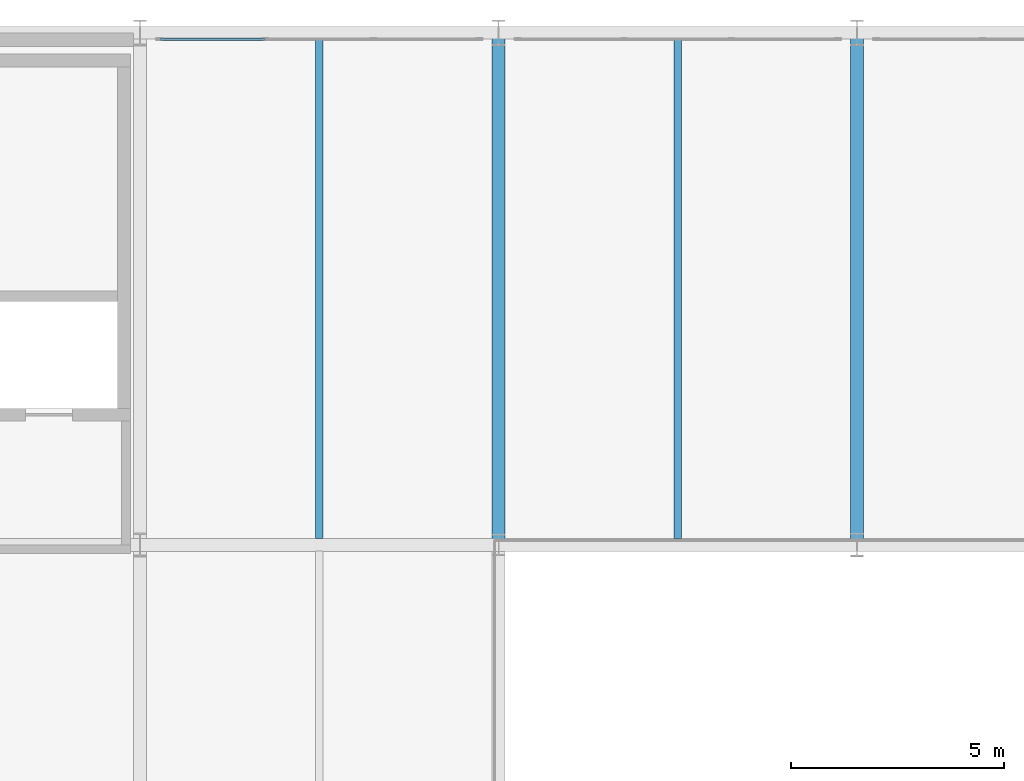
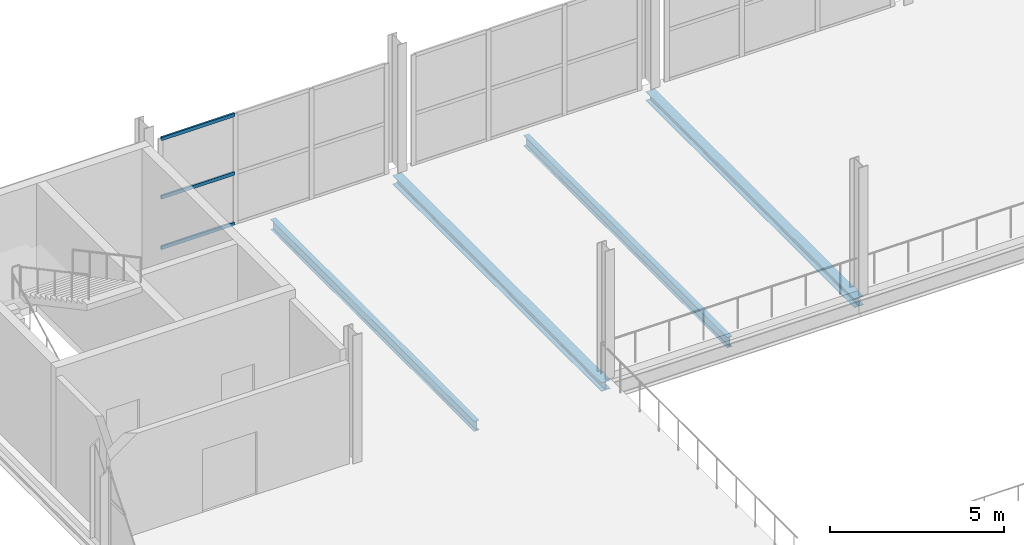
# One storey, part 52 of 109: 4 beams, 3 members, 1 element without a shape of its own.
"""IFC4 building model written with IfcOpenShell, lengths in metres."""

from ifc_helpers import new_model, si_unit, direction, frame, origin, origin_2d, place, context, subcontext, project, spatial, hollow_rectangle, i_section, extrude, material, material_profile, profile_set, type_object, element, aggregate, save


model = new_model("IFC4")

# Units and contexts
model_context = context("Model", 3, precision=1e-05, world=origin(), true_north=direction((0.0, 1.0)))
body_context = subcontext(model_context, "Body", "Model", "MODEL_VIEW")
ifc_project = project(units=[si_unit("LENGTHUNIT", "METRE"), si_unit("AREAUNIT", "SQUARE_METRE"), si_unit("VOLUMEUNIT", "CUBIC_METRE"), si_unit("PLANEANGLEUNIT", "RADIAN"), si_unit("MASSUNIT", "GRAM", prefix="KILO")], contexts=[model_context])

# Site, building, storey
site_placement = place(None, origin())
site = spatial("IfcSite", under=ifc_project, at=site_placement, CompositionType="ELEMENT")
building_placement = place(site_placement, origin())
building = spatial("IfcBuilding", under=site, at=building_placement, Name="Veltarok Museum of Natural Sciences", CompositionType="ELEMENT")
storey_placement = place(building_placement, frame((0.0, 0.0, 17.39990234375)))
storey = spatial("IfcBuildingStorey", under=building, at=storey_placement, Name="L03", CompositionType="ELEMENT", Elevation=17.39990234375)

# Curtain wall, members
ifc_material_1 = material(Name="Low-iron triple insulated glass", Category="glass")
curtain_wall_type = type_object("IfcCurtainWallType", Name="Curtain Wall System CW-V2N-L03-6-756x388 (V2 North Hall L03 6-7 756x388cm)", PredefinedType="NOTDEFINED", material=ifc_material_1)
curtain_wall_placement = place(storey_placement, origin())
curtain_wall = element("IfcCurtainWall", 1, at=curtain_wall_placement, inside=storey, type_object=curtain_wall_type, Name="Curtain Wall CW-V2N-L03-6-756x388 CW-0055", PredefinedType="NOTDEFINED")
ifc_material_2 = material(Name="Thermally broken anodised aluminium", Category="aluminium")
ifc_material_profile_1 = material_profile(ifc_material_2, hollow_rectangle(XDim=0.06005859375, YDim=0.1201171875, WallThickness=0.0048828125, at=origin_2d()), Name="CW TRANSOM 60x120x5")
ifc_profile_set_1 = profile_set([ifc_material_profile_1], Name="Thermally broken anodised aluminium")
member_type = type_object("IfcMemberType", Name="Curtain Wall Horizontal Transom 60x120x5", PredefinedType="USERDEFINED", material=ifc_profile_set_1)
member_1_placement = place(storey_placement, frame((51.31005859375, 71.85009765625, 0.030029296875), z_axis=(-1.0, 0.0, 0.0), x_axis=(0.0, -1.0, 0.0)))
member_1 = element("IfcMember", 2, at=member_1_placement, type_object=member_type, Name="CW-V2N-L03-6-756x388 transom 3.1", ObjectType="TRANSOM", PredefinedType="USERDEFINED", context=body_context, shape_type="SweptSolid", body=[
    extrude(hollow_rectangle(XDim=0.06005859375, YDim=0.1201171875, WallThickness=0.0048828125, at=origin_2d()), origin(), (0.0, 0.0, 1.0), 2.43017578125),
])
member_2_placement = place(storey_placement, frame((51.31005859375, 71.85009765625, 1.800048828125), z_axis=(-1.0, 0.0, 0.0), x_axis=(0.0, -1.0, 0.0)))
member_2 = element("IfcMember", 3, at=member_2_placement, type_object=member_type, Name="CW-V2N-L03-6-756x388 transom 3.2", ObjectType="TRANSOM", PredefinedType="USERDEFINED", context=body_context, shape_type="SweptSolid", body=[
    extrude(hollow_rectangle(XDim=0.06005859375, YDim=0.1201171875, WallThickness=0.0048828125, at=origin_2d()), origin(), (0.0, 0.0, 1.0), 2.43017578125),
])
member_3_placement = place(storey_placement, frame((51.31005859375, 71.85009765625, 3.85009765625), z_axis=(-1.0, 0.0, 0.0), x_axis=(0.0, -1.0, 0.0)))
member_3 = element("IfcMember", 4, at=member_3_placement, type_object=member_type, Name="CW-V2N-L03-6-756x388 transom 3.3", ObjectType="TRANSOM", PredefinedType="USERDEFINED", context=body_context, shape_type="SweptSolid", body=[
    extrude(hollow_rectangle(XDim=0.06005859375, YDim=0.1201171875, WallThickness=0.0048828125, at=origin_2d()), origin(), (0.0, 0.0, 1.0), 2.43017578125),
])
aggregate(curtain_wall, [member_1, member_2, member_3])

# Beams
ifc_material_3 = material(Name="Steel S355J2", Category="steel")
ifc_material_profile_2 = material_profile(ifc_material_3, i_section(OverallWidth=0.169921875, OverallDepth=0.360107421875, WebThickness=0.008056640625, FlangeThickness=0.0126953125, FilletRadius=0.01806640625, at=origin_2d()), Name="IPE 360")
ifc_profile_set_2 = profile_set([ifc_material_profile_2], Name="Steel S355J2")
beam_type_1 = type_object("IfcBeamType", Name="Long-Bay Composite Joist IPE 360", PredefinedType="JOIST", material=ifc_profile_set_2)
for number, where, z_axis, x_axis, name in (
    (5, (52.60009765625, 60.14794921875, -0.429931640625), (0.0, 1.0, 0.0), (-1.0, 0.0, 0.0), "Secondary Joist BM-J01 L03 6-7/G-H.1"),
    (6, (61.0, 60.14794921875, -0.429931640625), (0.0, 1.0, 0.0), (-1.0, 0.0, 0.0), "Secondary Joist BM-J01 L03 7-8/G-H.1"),
):
    element("IfcBeam", number, at=place(storey_placement, frame(where, z_axis=z_axis, x_axis=x_axis)), inside=storey, type_object=beam_type_1, Name=name, PredefinedType="JOIST", context=body_context, shape_type="SweptSolid", body=[
        extrude(i_section(OverallWidth=0.169921875, OverallDepth=0.360107421875, WebThickness=0.008056640625, FlangeThickness=0.0126953125, FilletRadius=0.01806640625, at=origin_2d()), origin(), (0.0, 0.0, 1.0), 11.7041015625),
    ])
ifc_material_profile_3 = material_profile(ifc_material_3, i_section(OverallWidth=0.300048828125, OverallDepth=0.31005859375, WebThickness=0.009033203125, FlangeThickness=0.015380859375, FilletRadius=0.027099609375, at=origin_2d()), Name="HEA 320")
ifc_profile_set_3 = profile_set([ifc_material_profile_3], Name="Steel S355J2")
beam_type_2 = type_object("IfcBeamType", Name="Perimeter Edge Spandrel HEA 320", PredefinedType="SPANDREL", material=ifc_profile_set_3)
for number, where, z_axis, x_axis, name in (
    (7, (56.800048828125, 60.0, -0.40478515625), (0.0, 1.0, 0.0), (-1.0, 0.0, 0.0), "Beam BM-SP04 L03 7/G-H"),
    (8, (65.199951171875, 60.0, -0.40478515625), (0.0, 1.0, 0.0), (-1.0, 0.0, 0.0), "Beam BM-SP04 L03 8/G-H"),
):
    element("IfcBeam", number, at=place(storey_placement, frame(where, z_axis=z_axis, x_axis=x_axis)), inside=storey, type_object=beam_type_2, Name=name, PredefinedType="SPANDREL", context=body_context, shape_type="SweptSolid", body=[
        extrude(i_section(OverallWidth=0.300048828125, OverallDepth=0.31005859375, WebThickness=0.009033203125, FlangeThickness=0.015380859375, FilletRadius=0.027099609375, at=origin_2d()), origin(), (0.0, 0.0, 1.0), 12.0),
    ])

save(model, "model.ifc")
